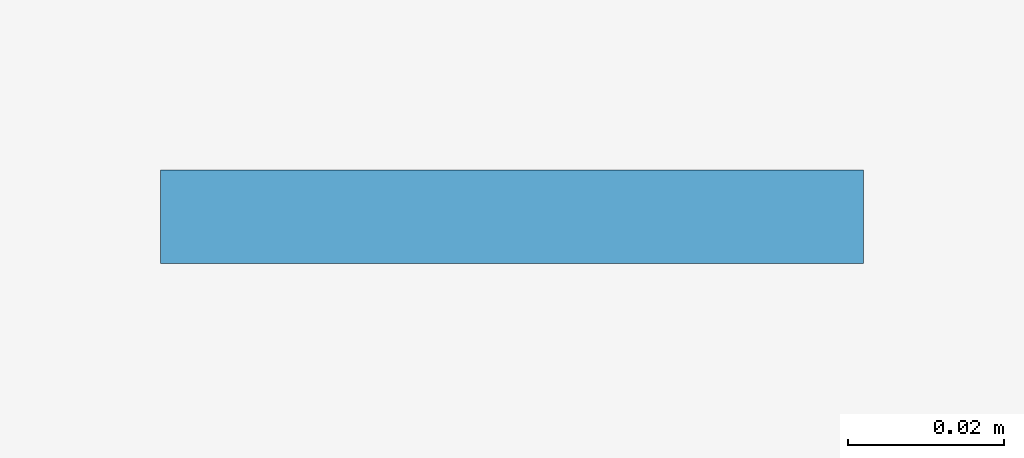
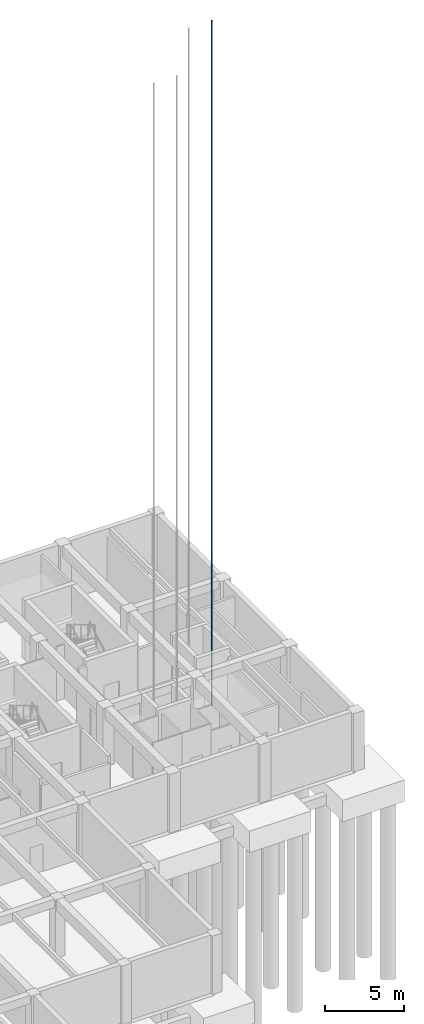
# One storey, part 31 of 44: 1 plate.
"""IFC4 building model written with IfcOpenShell, lengths in metres."""

import ifcopenshell
import ifcopenshell.guid

model = None  # the IFC model being written
_history = None  # IfcOwnerHistory: only IFC2X3 demands one
_inside = {}  # id of a spatial element -> (the spatial element, [elements in it])
_under = {}  # id of a project, library or spatial element -> (it, [spatial elements below it])
_declared = {}  # id of a project -> (the project, [libraries it declares])
_typed = {}  # id of a type object -> (the type object, [elements of that type])
_made_of = {}  # id of a material, layer set ... -> (it, [elements and type objects made of it])


def new_model(schema):
    """Start an empty IFC model of exactly this schema.

    Asked for "IFC4X3", IfcOpenShell would pick the latest addendum, in which some entities
    have other attributes; the version numbers below select the first issue.
    IFC2X3 requires an IfcOwnerHistory on every rooted entity: one is made here for all.
    """
    global model, _history
    if schema == "IFC4X3":
        model = ifcopenshell.file(schema_version=(4, 3, 0, 0))
    else:
        model = ifcopenshell.file(schema=schema)
    _inside.clear()
    _under.clear()
    _declared.clear()
    _typed.clear()
    _made_of.clear()
    _history = None
    if model.schema == "IFC2X3":
        org = make("IfcOrganization", Name="unknown")
        user = make(
            "IfcPersonAndOrganization",
            ThePerson=make("IfcPerson", FamilyName="unknown"),
            TheOrganization=org,
        )
        app = make(
            "IfcApplication",
            ApplicationDeveloper=org,
            Version="unknown",
            ApplicationFullName="unknown",
            ApplicationIdentifier="unknown",
        )
        _history = make(
            "IfcOwnerHistory",
            OwningUser=user,
            OwningApplication=app,
            ChangeAction="ADDED",
            CreationDate=0,
        )
    return model


def make(cls, **values):
    """One entity of the class cls with the attributes given. An attribute that is None is left unset."""
    return model.create_entity(
        cls, **{name: value for name, value in values.items() if value is not None}
    )


def rooted(cls, **values):
    """An entity with a GlobalId (a new one), such as an element, a storey or a relation."""
    return make(cls, GlobalId=ifcopenshell.guid.new(), OwnerHistory=_history, **values)


def si_unit(unit_type, name, prefix=None):
    """IfcSIUnit, for example si_unit("LENGTHUNIT", "METRE", prefix="MILLI")."""
    return make("IfcSIUnit", UnitType=unit_type, Prefix=prefix, Name=name)


def assignment(units):
    """IfcUnitAssignment: the units of a project."""
    return None if units is None else make("IfcUnitAssignment", Units=units)


def point(xyz):
    """IfcCartesianPoint."""
    return None if xyz is None else make("IfcCartesianPoint", Coordinates=xyz)


def direction(xyz):
    """IfcDirection."""
    return None if xyz is None else make("IfcDirection", DirectionRatios=xyz)


def frame(location, z_axis=None, x_axis=None):
    """IfcAxis2Placement3D, a coordinate frame: its origin and axes. An axis left out is left unset."""
    return make(
        "IfcAxis2Placement3D",
        Location=point(location),
        Axis=direction(z_axis),
        RefDirection=direction(x_axis),
    )


def frame_2d(location, x_axis=None):
    """IfcAxis2Placement2D, a coordinate frame in the plane: its origin and x axis."""
    return make(
        "IfcAxis2Placement2D", Location=point(location), RefDirection=direction(x_axis)
    )


def origin():
    """The frame at (0, 0, 0) with its axes left unset."""
    return frame((0.0, 0.0, 0.0))


def origin_2d():
    """The frame at (0, 0) in the plane with its x axis left unset."""
    return frame_2d((0.0, 0.0))


def place(relative_to, where):
    """IfcLocalPlacement: puts the frame where relative to a parent placement (None: the world)."""
    return make(
        "IfcLocalPlacement", PlacementRelTo=relative_to, RelativePlacement=where
    )


def context(
    kind, dimensions, precision=None, world=None, true_north=None, identifier=None
):
    """IfcGeometricRepresentationContext, for example the 3D "Model" context."""
    return make(
        "IfcGeometricRepresentationContext",
        ContextIdentifier=identifier,
        ContextType=kind,
        CoordinateSpaceDimension=dimensions,
        Precision=precision,
        WorldCoordinateSystem=world,
        TrueNorth=true_north,
    )


def subcontext(parent, identifier, kind, view, scale=None):
    """IfcGeometricRepresentationSubContext, for example "Body" below "Model"."""
    return make(
        "IfcGeometricRepresentationSubContext",
        ContextIdentifier=identifier,
        ContextType=kind,
        ParentContext=parent,
        TargetScale=scale,
        TargetView=view,
    )


def project(units=None, contexts=None):
    """IfcProject with its units and contexts."""
    return rooted(
        "IfcProject",
        Name="project",
        RepresentationContexts=contexts,
        UnitsInContext=assignment(units),
    )


def spatial(cls, under=None, at=None, **own):
    """A site, building, storey or space (cls), placed at a placement, below another one or the project."""
    s = rooted(cls, ObjectPlacement=at, **own)
    if under is not None:
        _under.setdefault(under.id(), (under, []))[1].append(s)
    return s


def profile(cls, at=None, kind="AREA", **sizes):
    """A parametric profile (cls). Its sizes go by their IFC names, for example OverallWidth=200.0."""
    return make(cls, ProfileType=kind, Position=at, **sizes)


def rectangle(**sizes):
    """IfcRectangleProfileDef."""
    return profile("IfcRectangleProfileDef", **sizes)


def extrude(swept, where, along, depth):
    """IfcExtrudedAreaSolid: the profile swept, set in the frame where, extruded along a direction by depth."""
    return make(
        "IfcExtrudedAreaSolid",
        SweptArea=swept,
        Position=where,
        ExtrudedDirection=direction(along),
        Depth=depth,
    )


def shape(context_of_items, identifier, shape_type, items):
    """IfcShapeRepresentation: the items that make up one representation, for example the "Body"."""
    return make(
        "IfcShapeRepresentation",
        ContextOfItems=context_of_items,
        RepresentationIdentifier=identifier,
        RepresentationType=shape_type,
        Items=items,
    )


def material(Name=None, Category=None):
    """IfcMaterial."""
    return make("IfcMaterial", Name=Name, Category=Category)


def layer(
    of_material, thickness, ventilated=None, Name=None, Category=None, Priority=None
):
    """IfcMaterialLayer: one layer of a wall or slab, of a material (None: an air gap)."""
    return make(
        "IfcMaterialLayer",
        Material=of_material,
        LayerThickness=thickness,
        IsVentilated=ventilated,
        Name=Name,
        Category=Category,
        Priority=Priority,
    )


def layer_set(layers, Name=None):
    """IfcMaterialLayerSet."""
    return make("IfcMaterialLayerSet", MaterialLayers=layers, LayerSetName=Name)


def made_of(thing, what):
    """Note that an element or type object is made of a material, layer set ...; save() writes the relation."""
    if what is not None:
        _made_of.setdefault(what.id(), (what, []))[1].append(thing)
    return thing


def type_object(cls, material=None, **own):
    """A type object (cls), such as IfcWallType, which elements share."""
    return made_of(rooted(cls, **own), material)


def element(
    cls,
    number,
    at=None,
    inside=None,
    cuts=None,
    type_object=None,
    material=None,
    context=None,
    identifier="Body",
    shape_type=None,
    held_by="IfcProductDefinitionShape",
    body=None,
    shapes=None,
    **own,
):
    """One element of the class cls, such as IfcWall. Its Tag is "e" and its number.

    at: its placement. inside: the storey or other place that contains it. cuts: it is an
    opening in that element (IfcRelVoidsElement). A single representation is given by context,
    identifier, shape_type and body (its items); several are given by shapes. held_by: the class
    of the entity that holds the representations. save() writes the other relations.
    """
    e = rooted(cls, Tag="e%d" % number, ObjectPlacement=at, **own)
    if body is not None:
        shapes = [shape(context, identifier, shape_type, body)]
    if shapes is not None:
        e.Representation = make(held_by, Representations=shapes)
    if inside is not None:
        _inside.setdefault(inside.id(), (inside, []))[1].append(e)
    if cuts is not None:
        rooted(
            "IfcRelVoidsElement", RelatingBuildingElement=cuts, RelatedOpeningElement=e
        )
    if type_object is not None:
        _typed.setdefault(type_object.id(), (type_object, []))[1].append(e)
    return made_of(e, material)


def aggregate(whole, parts):
    """IfcRelAggregates: a whole, such as a stair, and the parts it consists of."""
    return rooted("IfcRelAggregates", RelatingObject=whole, RelatedObjects=parts)


def save(model, path):
    """Write the relations noted so far, then the file.

    IfcRelAggregates (storeys below a building ...), IfcRelContainedInSpatialStructure (elements
    in a storey), IfcRelDefinesByType, IfcRelAssociatesMaterial and IfcRelDeclares: one each for
    every whole, place, type object, material and project.
    """
    for whole, parts in _under.values():
        aggregate(whole, parts)
    for where, things in _inside.values():
        rooted(
            "IfcRelContainedInSpatialStructure",
            RelatedElements=things,
            RelatingStructure=where,
        )
    for kind, things in _typed.values():
        rooted("IfcRelDefinesByType", RelatedObjects=things, RelatingType=kind)
    for what, things in _made_of.values():
        rooted("IfcRelAssociatesMaterial", RelatedObjects=things, RelatingMaterial=what)
    for by, libraries in _declared.values():
        rooted("IfcRelDeclares", RelatingContext=by, RelatedDefinitions=libraries)
    model.write(path)


model = new_model("IFC4")

# Units and contexts
model_context = context("Model", 3, precision=1e-05, world=origin(), true_north=direction((0.0, 1.0)))
body_context = subcontext(model_context, "Body", "Model", "MODEL_VIEW")
ifc_project = project(units=[si_unit("LENGTHUNIT", "METRE"), si_unit("AREAUNIT", "SQUARE_METRE"), si_unit("VOLUMEUNIT", "CUBIC_METRE"), si_unit("PLANEANGLEUNIT", "RADIAN"), si_unit("MASSUNIT", "GRAM", prefix="KILO")], contexts=[model_context])

# Site, building, storey
site_placement = place(None, origin())
site = spatial("IfcSite", under=ifc_project, at=site_placement, CompositionType="ELEMENT")
building_placement = place(site_placement, origin())
building = spatial("IfcBuilding", under=site, at=building_placement, Name="Kolvaren Faculty of Natural Sciences", CompositionType="ELEMENT")
storey_placement = place(building_placement, frame((0.0, 0.0, -4.5)))
storey = spatial("IfcBuildingStorey", under=building, at=storey_placement, Name="B01", CompositionType="ELEMENT", Elevation=-4.5)

# Plate
ifc_material = material(Name="Structural steel EN 10025-2 S355J2", Category="steel")
ifc_layer = layer(ifc_material, 0.011962890625)
ifc_layer_set = layer_set([ifc_layer], Name="Structural steel EN 10025-2 S355J2")
plate_type = type_object("IfcPlateType", Name="LiftGuideRail_T89", PredefinedType="USERDEFINED", material=ifc_layer_set)
plate_placement = place(storey_placement, frame((168.139892578125, 70.449951171875, -0.81982421875), z_axis=(0.0, 0.0, 1.0), x_axis=(1.0, 0.0, 0.0)))
element("IfcPlate", 1, at=plate_placement, inside=storey, type_object=plate_type, Name="Lift FL-1 steel guide rail 2", ObjectType="GUIDE RAIL", PredefinedType="USERDEFINED", context=body_context, shape_type="SweptSolid", body=[
    extrude(rectangle(XDim=0.090087890625, YDim=0.011962890625, at=origin_2d()), origin(), (0.0, 0.0, 1.0), 52.820068359375),
])

save(model, "model.ifc")
